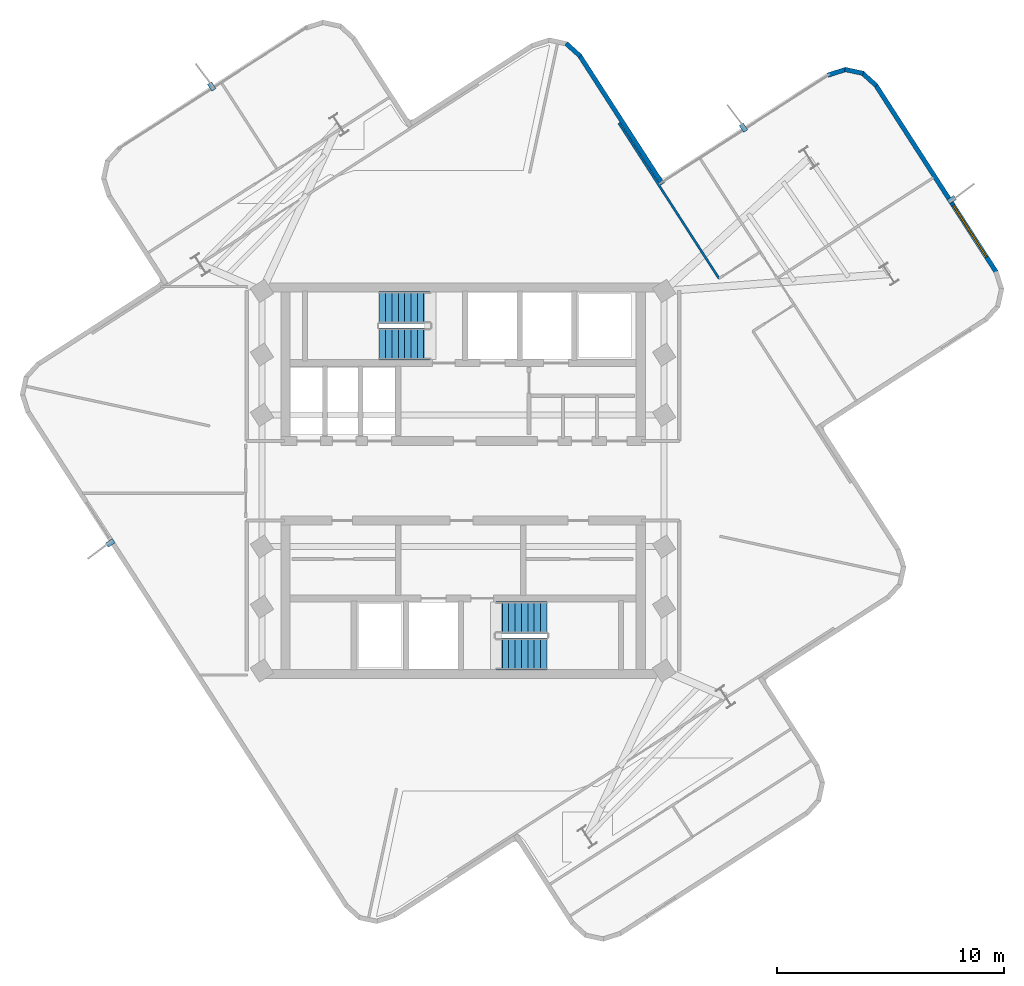
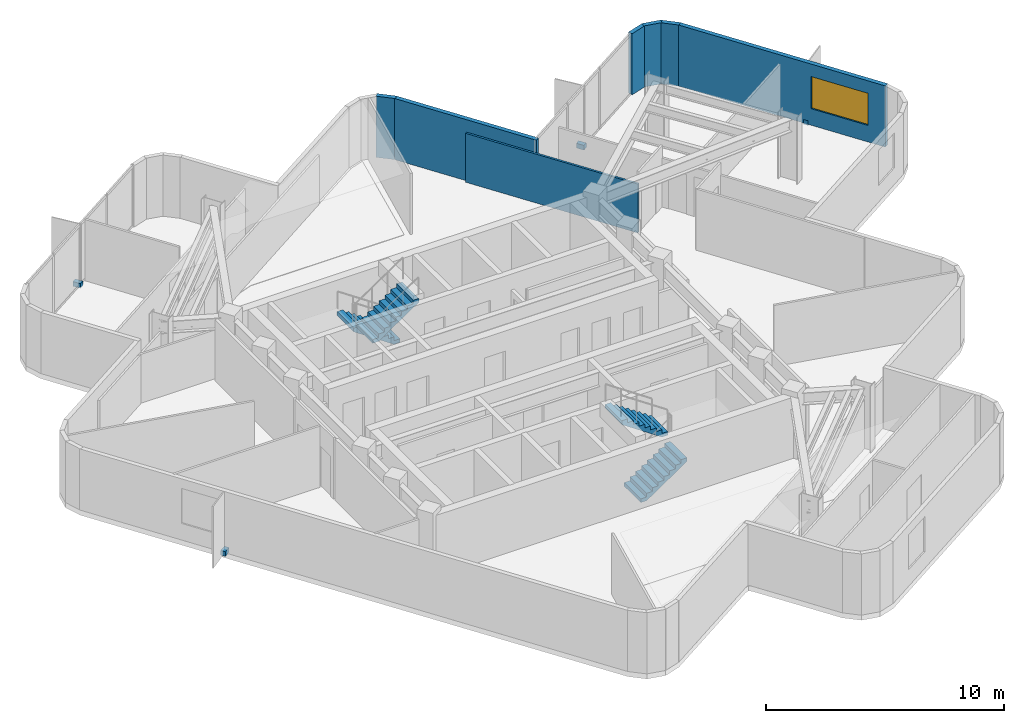
# One storey, part 6 of 8: 7 walls, 4 discrete accessories, 4 stair flights, 1 window, 1 opening, 2 elements without a shape of their own.
"""IFC4 building model written with IfcOpenShell, lengths in metres."""

from ifc_helpers import new_model, si_unit, direction, frame, frame_2d, origin, origin_2d, place, context, subcontext, project, spatial, polyline, rectangle, outline, extrude, material, layer, layer_set, type_object, element, fill, aggregate, save


model = new_model("IFC4")

# Units and contexts
model_context = context("Model", 3, precision=1e-05, world=origin(), true_north=direction((0.0, 1.0)))
body_context = subcontext(model_context, "Body", "Model", "MODEL_VIEW")
ifc_project = project(units=[si_unit("LENGTHUNIT", "METRE"), si_unit("AREAUNIT", "SQUARE_METRE"), si_unit("VOLUMEUNIT", "CUBIC_METRE"), si_unit("PLANEANGLEUNIT", "RADIAN"), si_unit("MASSUNIT", "GRAM", prefix="KILO")], contexts=[model_context])

# Site, building, storey
site_placement = place(None, origin())
site = spatial("IfcSite", under=ifc_project, at=site_placement, CompositionType="ELEMENT")
building_placement = place(site_placement, origin())
building = spatial("IfcBuilding", under=site, at=building_placement, Name="Solmarez Civic Tower", CompositionType="ELEMENT")
storey_placement = place(building_placement, frame((0.0, 0.0, 218.8798828125)))
storey = spatial("IfcBuildingStorey", under=building, at=storey_placement, Name="L58", CompositionType="ELEMENT", Elevation=218.8798828125)

# Walls
ifc_material_1 = material(Name="Precast concrete C40/50", Category="concrete")
ifc_layer_1 = layer(ifc_material_1, 0.199951171875)
ifc_layer_set_1 = layer_set([ifc_layer_1], Name="Precast concrete C40/50")
wall_type_1 = type_object("IfcWallType", Name="WALL-EXT-200", PredefinedType="SOLIDWALL", material=ifc_layer_set_1)
wall_1_placement = place(storey_placement, frame((4.534912109375, 19.248046875, 0.0), z_axis=(0.0, 0.0, 1.0), x_axis=(0.741439258983, -0.671019988703, 0.0)))
element("IfcWall", 1, at=wall_1_placement, inside=storey, type_object=wall_type_1, Name="L58 Exterior Precast Wall 27", PredefinedType="SOLIDWALL", context=body_context, shape_type="SweptSolid", body=[
    extrude(rectangle(XDim=0.839111328125, YDim=0.199951171875, at=frame_2d((0.41943359375, 0.0))), origin(), (0.0, 0.0, 1.0), 3.14013671875),
])
wall_2_placement = place(storey_placement, frame((5.1240234375, 18.722900390625, 0.0), z_axis=(0.0, 0.0, 1.0), x_axis=(0.541679726821, -0.840584959151, 0.0)))
element("IfcWall", 2, at=wall_2_placement, inside=storey, type_object=wall_type_1, Name="L58 Exterior Precast Wall 28", PredefinedType="SOLIDWALL", context=body_context, shape_type="SweptSolid", body=[
    extrude(rectangle(XDim=6.74169921875, YDim=0.199951171875, at=frame_2d((3.370849609375, 0.0))), origin(), (0.0, 0.0, 1.0), 3.14013671875),
])
wall_3_placement = place(storey_placement, frame((16.052978515625, 17.847900390625, 0.0), z_axis=(0.0, 0.0, 1.0), x_axis=(0.951946820804, 0.306263367646, 0.0)))
element("IfcWall", 3, at=wall_3_placement, inside=storey, type_object=wall_type_1, Name="L58 Exterior Precast Wall 32", PredefinedType="SOLIDWALL", context=body_context, shape_type="SweptSolid", body=[
    extrude(rectangle(XDim=0.83935546875, YDim=0.199951171875, at=frame_2d((0.419677734375, 0.0))), origin(), (0.0, 0.0, 1.0), 3.14013671875),
])
wall_4_placement = place(storey_placement, frame((16.803955078125, 18.10205078125, 0.0), z_axis=(0.0, 0.0, 1.0), x_axis=(0.977405889656, -0.211371064399, 0.0)))
element("IfcWall", 4, at=wall_4_placement, inside=storey, type_object=wall_type_1, Name="L58 Exterior Precast Wall 33", PredefinedType="SOLIDWALL", context=body_context, shape_type="SweptSolid", body=[
    extrude(rectangle(XDim=0.823486328125, YDim=0.199951171875, at=frame_2d((0.41162109375, 0.0))), origin(), (0.0, 0.0, 1.0), 3.14013671875),
])
wall_5_placement = place(storey_placement, frame((17.56591796875, 17.949951171875, 0.0), z_axis=(0.0, 0.0, 1.0), x_axis=(0.741439258983, -0.671019988703, 0.0)))
element("IfcWall", 5, at=wall_5_placement, inside=storey, type_object=wall_type_1, Name="L58 Exterior Precast Wall 34", PredefinedType="SOLIDWALL", context=body_context, shape_type="SweptSolid", body=[
    extrude(rectangle(XDim=0.839111328125, YDim=0.199951171875, at=frame_2d((0.41943359375, 0.0))), origin(), (0.0, 0.0, 1.0), 3.14013671875),
])

# Wall, opening, window
wall_6_placement = place(storey_placement, frame((18.155029296875, 17.425048828125, 0.0), z_axis=(0.0, 0.0, 1.0), x_axis=(0.541713039183, -0.840563491462, 0.0)))
wall_6 = element("IfcWall", 6, at=wall_6_placement, inside=storey, type_object=wall_type_1, Name="L58 Exterior Precast Wall 35", PredefinedType="SOLIDWALL", context=body_context, shape_type="SweptSolid", body=[
    extrude(rectangle(XDim=9.824462890625, YDim=0.199951171875, at=frame_2d((4.912109375, 0.0))), origin(), (0.0, 0.0, 1.0), 3.14013671875),
])
opening_placement = place(wall_6_placement, frame((6.31298828125, 0.0, 0.85009765625)))
opening = element("IfcOpeningElement", 7, at=opening_placement, cuts=wall_6, Name="Opening W-09", PredefinedType="OPENING", context=body_context, shape_type="SweptSolid", body=[
    extrude(rectangle(XDim=2.699951171875, YDim=1.64990234375, at=frame_2d((1.35009765625, 0.824951171875))), frame((0.0, 0.10986328125, 0.0), z_axis=(0.0, -1.0, 0.0), x_axis=(1.0, 0.0, 0.0)), (0.0, 0.0, 1.0), 0.219970703125),
])
ifc_material_2 = material(Name="Solar Control Bronze-Tinted Insulating Glass", Category="glass")
window_type = type_object("IfcWindowType", Name="WIN-2700X1650", PartitioningType="SINGLE_PANEL", PredefinedType="WINDOW", material=ifc_material_2)
window_placement = place(opening_placement, origin())
window = element("IfcWindow", 8, at=window_placement, inside=storey, type_object=window_type, Name="L58 Exterior Facade Window 35", OverallHeight=1.64990234375, OverallWidth=2.699951171875, PartitioningType="SINGLE_PANEL", PredefinedType="WINDOW", context=body_context, shape_type="SweptSolid", body=[
    extrude(rectangle(XDim=2.699951171875, YDim=1.64990234375, at=frame_2d((1.35009765625, 0.824951171875))), frame((0.0, 0.030029296875, 0.0), z_axis=(0.0, -1.0, 0.0), x_axis=(1.0, 0.0, 0.0)), (0.0, 0.0, 1.0), 0.06005859375),
])
fill(opening, window)

# Wall
ifc_material_3 = material(Name="Gypsum Board Acoustic Steel-Stud Partition", Category="steel")
ifc_layer_2 = layer(ifc_material_3, 0.10009765625)
ifc_layer_set_2 = layer_set([ifc_layer_2], Name="Gypsum Board Acoustic Steel-Stud Partition")
wall_type_2 = type_object("IfcWallType", Name="WALL-INT-PART-100", PredefinedType="PARTITIONING", material=ifc_layer_set_2)
wall_7_placement = place(storey_placement, frame((11.27001953125, 8.89306640625, 0.0), z_axis=(0.0, 0.0, 1.0), x_axis=(-0.541761070726, 0.840532534912, 0.0)))
element("IfcWall", 9, at=wall_7_placement, inside=storey, type_object=wall_type_2, Name="L58 Interior Partition PT-L58-E-EFL", PredefinedType="PARTITIONING", context=body_context, shape_type="SweptSolid", body=[
    extrude(rectangle(XDim=8.1494140625, YDim=0.10009765625, at=frame_2d((4.07470703125, 0.0))), origin(), (0.0, 0.0, 1.0), 2.510009765625),
])

# Stair, stair flights
ifc_material_4 = material(Name="Concrete C50/60", Category="concrete")
stair_type = type_object("IfcStairType", Name="STAIR-DOGLEG-140W-18R-1900", PredefinedType="HALF_TURN_STAIR", material=ifc_material_4)
stair_1_placement = place(storey_placement, origin())
stair_1 = element("IfcStair", 10, at=stair_1_placement, inside=storey, type_object=stair_type, Name="L58 North Core Protected Exit Stair ST-1", PredefinedType="HALF_TURN_STAIR")
stair_flight_type = type_object("IfcStairFlightType", Name="FLIGHT-DOGLEG-140W-9R-1900", PredefinedType="STRAIGHT", material=ifc_material_4)
stair_flight_1_placement = place(storey_placement, frame((-1.449951171875, 7.6201171875, 0.0), z_axis=(0.0, 0.0, 1.0), x_axis=(-1.0, 0.0, 0.0)))
stair_flight_1 = element("IfcStairFlight", 11, at=stair_flight_1_placement, type_object=stair_flight_type, Name="ST-1 flight 1", NumberOfRisers=9, NumberOfTreads=8, PredefinedType="STRAIGHT", RiserHeight=0.19, TreadLength=0.28, context=body_context, shape_type="SweptSolid", body=[
    extrude(outline(polyline([(0.0, 0.0), (0.0, 0.18994140625), (0.280029296875, 0.18994140625), (0.280029296875, 0.3798828125), (0.56005859375, 0.3798828125), (0.56005859375, 0.570068359375), (0.840087890625, 0.570068359375), (0.840087890625, 0.760009765625), (1.1201171875, 0.760009765625), (1.1201171875, 0.949951171875), (1.39990234375, 0.949951171875), (1.39990234375, 1.139892578125), (1.679931640625, 1.139892578125), (1.679931640625, 1.330078125), (1.9599609375, 1.330078125), (1.9599609375, 1.52001953125), (2.239990234375, 1.52001953125), (2.239990234375, 1.7099609375), (2.239990234375, 1.32666015625), (0.284912109375, 0.0), (0.0, 0.0)])), frame((0.0, 0.699951171875, 0.0), z_axis=(0.0, -1.0, 0.0), x_axis=(1.0, 0.0, 0.0)), (0.0, 0.0, 1.0), 1.39990234375),
])
stair_flight_2_placement = place(storey_placement, frame((-3.68994140625, 6.02001953125, 1.710205078125), z_axis=(0.0, 0.0, 1.0), x_axis=(1.0, 0.0, 0.0)))
stair_flight_2 = element("IfcStairFlight", 12, at=stair_flight_2_placement, type_object=stair_flight_type, Name="ST-1 flight 2", NumberOfRisers=9, NumberOfTreads=8, PredefinedType="STRAIGHT", RiserHeight=0.19, TreadLength=0.28, context=body_context, shape_type="SweptSolid", body=[
    extrude(outline(polyline([(0.0, 0.0), (0.0, 0.18994140625), (0.280029296875, 0.18994140625), (0.280029296875, 0.3798828125), (0.56005859375, 0.3798828125), (0.56005859375, 0.570068359375), (0.840087890625, 0.570068359375), (0.840087890625, 0.760009765625), (1.1201171875, 0.760009765625), (1.1201171875, 0.949951171875), (1.39990234375, 0.949951171875), (1.39990234375, 1.139892578125), (1.679931640625, 1.139892578125), (1.679931640625, 1.330078125), (1.9599609375, 1.330078125), (1.9599609375, 1.52001953125), (2.239990234375, 1.52001953125), (2.239990234375, 1.7099609375), (2.239990234375, 1.32666015625), (0.284912109375, 0.0), (0.0, 0.0)])), frame((0.0, 0.699951171875, 0.0), z_axis=(0.0, -1.0, 0.0), x_axis=(1.0, 0.0, 0.0)), (0.0, 0.0, 1.0), 1.39990234375),
])
aggregate(stair_1, [stair_flight_1, stair_flight_2])

stair_2_placement = place(storey_placement, origin())
stair_2 = element("IfcStair", 13, at=stair_2_placement, inside=storey, type_object=stair_type, Name="L58 South Core Protected Exit Stair ST-2", PredefinedType="HALF_TURN_STAIR")
stair_flight_3_placement = place(storey_placement, frame((1.449951171875, -7.6201171875, 0.0), z_axis=(0.0, 0.0, 1.0), x_axis=(1.0, 0.0, 0.0)))
stair_flight_3 = element("IfcStairFlight", 14, at=stair_flight_3_placement, type_object=stair_flight_type, Name="ST-2 flight 1", NumberOfRisers=9, NumberOfTreads=8, PredefinedType="STRAIGHT", RiserHeight=0.19, TreadLength=0.28, context=body_context, shape_type="SweptSolid", body=[
    extrude(outline(polyline([(0.0, 0.0), (0.0, 0.18994140625), (0.280029296875, 0.18994140625), (0.280029296875, 0.3798828125), (0.56005859375, 0.3798828125), (0.56005859375, 0.570068359375), (0.840087890625, 0.570068359375), (0.840087890625, 0.760009765625), (1.1201171875, 0.760009765625), (1.1201171875, 0.949951171875), (1.39990234375, 0.949951171875), (1.39990234375, 1.139892578125), (1.679931640625, 1.139892578125), (1.679931640625, 1.330078125), (1.9599609375, 1.330078125), (1.9599609375, 1.52001953125), (2.239990234375, 1.52001953125), (2.239990234375, 1.7099609375), (2.239990234375, 1.32666015625), (0.284912109375, 0.0), (0.0, 0.0)])), frame((0.0, 0.699951171875, 0.0), z_axis=(0.0, -1.0, 0.0), x_axis=(1.0, 0.0, 0.0)), (0.0, 0.0, 1.0), 1.39990234375),
])
stair_flight_4_placement = place(storey_placement, frame((3.68994140625, -6.02001953125, 1.710205078125), z_axis=(0.0, 0.0, 1.0), x_axis=(-1.0, 0.0, 0.0)))
stair_flight_4 = element("IfcStairFlight", 15, at=stair_flight_4_placement, type_object=stair_flight_type, Name="ST-2 flight 2", NumberOfRisers=9, NumberOfTreads=8, PredefinedType="STRAIGHT", RiserHeight=0.19, TreadLength=0.28, context=body_context, shape_type="SweptSolid", body=[
    extrude(outline(polyline([(0.0, 0.0), (0.0, 0.18994140625), (0.280029296875, 0.18994140625), (0.280029296875, 0.3798828125), (0.56005859375, 0.3798828125), (0.56005859375, 0.570068359375), (0.840087890625, 0.570068359375), (0.840087890625, 0.760009765625), (1.1201171875, 0.760009765625), (1.1201171875, 0.949951171875), (1.39990234375, 0.949951171875), (1.39990234375, 1.139892578125), (1.679931640625, 1.139892578125), (1.679931640625, 1.330078125), (1.9599609375, 1.330078125), (1.9599609375, 1.52001953125), (2.239990234375, 1.52001953125), (2.239990234375, 1.7099609375), (2.239990234375, 1.32666015625), (0.284912109375, 0.0), (0.0, 0.0)])), frame((0.0, 0.699951171875, 0.0), z_axis=(0.0, -1.0, 0.0), x_axis=(1.0, 0.0, 0.0)), (0.0, 0.0, 1.0), 1.39990234375),
])
aggregate(stair_2, [stair_flight_3, stair_flight_4])

# Discrete accessories
ifc_material_5 = material(Name="Stainless Steel Grade 1.4401", Category="steel")
discrete_accessory_type = type_object("IfcDiscreteAccessoryType", Name="BRACKET-SS-FIN", PredefinedType="BRACKET", material=ifc_material_5)
for number, where, z_axis, x_axis, name in (
    (16, (-15.52197265625, -2.736083984375, -0.06005859375), (0.0, 0.0, 1.0), (-0.840571426165, -0.541700726892, 0.0), "L58 Stainless Fin Support Bracket FIN-L58-01"),
    (17, (-11.06396484375, 17.35302734375, -0.06005859375), (0.0, 0.0, 1.0), (-0.541646713116, 0.840606232532, 0.0), "L58 Stainless Fin Support Bracket FIN-L58-02"),
    (18, (12.339111328125, 15.5419921875, -0.06005859375), (0.0, 0.0, 1.0), (-0.541717507542, 0.840560611748, 0.0), "L58 Stainless Fin Support Bracket FIN-L58-03"),
    (19, (21.506103515625, 12.3720703125, -0.06005859375), (0.0, 0.0, 1.0), (0.840606232532, 0.541646713116, 0.0), "L58 Stainless Fin Support Bracket FIN-L58-04"),
):
    element("IfcDiscreteAccessory", number, at=place(storey_placement, frame(where, z_axis=z_axis, x_axis=x_axis)), inside=storey, type_object=discrete_accessory_type, Name=name, PredefinedType="BRACKET", context=body_context, shape_type="SweptSolid", body=[
        extrude(rectangle(XDim=0.360107421875, YDim=0.219970703125, at=origin_2d()), origin(), (0.0, 0.0, 1.0), 0.239990234375),
    ])

save(model, "model.ifc")
